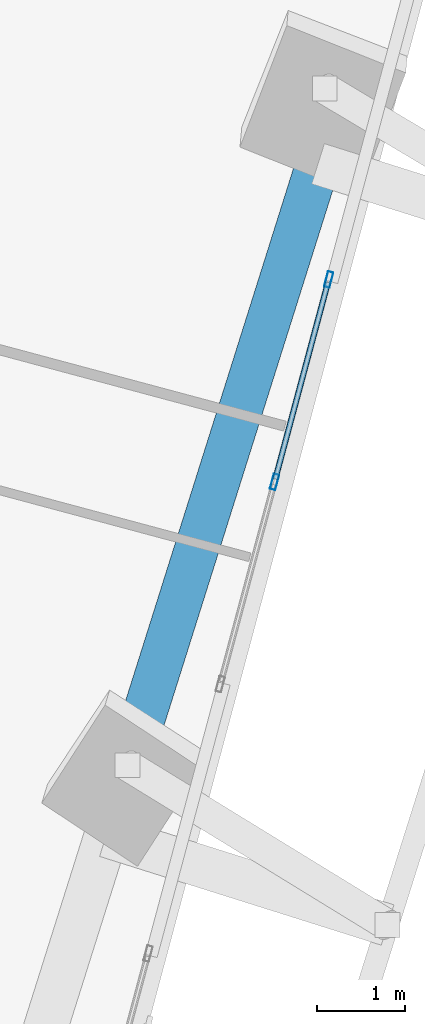
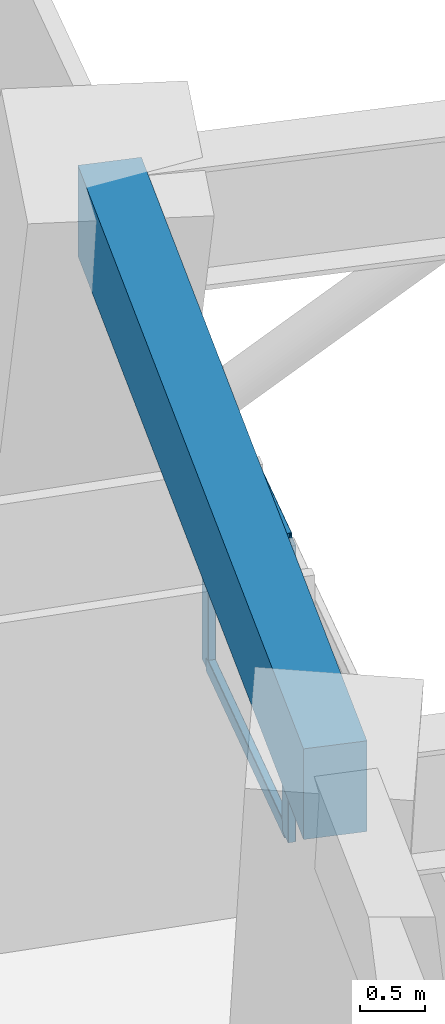
# One storey, part 11 of 27: 4 members, 1 beam, 1 element without a shape of its own.
"""IFC4 building model written with IfcOpenShell, lengths in metres."""

from ifc_helpers import new_model, si_unit, direction, frame, origin, origin_2d, place, context, subcontext, project, spatial, rectangle, hollow_rectangle, extrude, source, transform, mapped, material, material_profile, profile_set, type_object, element, aggregate, save


model = new_model("IFC4")

# Units and contexts
model_context = context("Model", 3, precision=1e-05, world=origin(), true_north=direction((0.0, 1.0)))
body_context = subcontext(model_context, "Body", "Model", "MODEL_VIEW")
ifc_project = project(units=[si_unit("LENGTHUNIT", "METRE"), si_unit("AREAUNIT", "SQUARE_METRE"), si_unit("VOLUMEUNIT", "CUBIC_METRE"), si_unit("PLANEANGLEUNIT", "RADIAN"), si_unit("MASSUNIT", "GRAM", prefix="KILO")], contexts=[model_context])

# Site, building, storey
site_placement = place(None, origin())
site = spatial("IfcSite", under=ifc_project, at=site_placement, CompositionType="ELEMENT")
building_placement = place(site_placement, origin())
building = spatial("IfcBuilding", under=site, at=building_placement, Name="Torre Montelarca", CompositionType="ELEMENT")
storey_placement = place(building_placement, frame((0.0, 0.0, 108.39990234375)))
storey = spatial("IfcBuildingStorey", under=building, at=storey_placement, Name="L24", CompositionType="ELEMENT", Elevation=108.39990234375)

# Beam
ifc_material_1 = material(Name="Concrete C55/67", Category="concrete")
ifc_material_profile_1 = material_profile(ifc_material_1, rectangle(XDim=0.5, YDim=0.85009765625, at=origin_2d()), Name="RCB500X850", Category="concrete")
ifc_profile_set_1 = profile_set([ifc_material_profile_1], Name="Concrete C55/67")
beam_type = type_object("IfcBeamType", Name="BM-SP-RC850-EXT", PredefinedType="SPANDREL", material=ifc_profile_set_1)
shared_shape_1 = source(origin(), body_context, "Body", "SweptSolid", [
    extrude(rectangle(XDim=0.5, YDim=0.85009765625, at=origin_2d()), origin(), (0.0, 0.0, 1.0), 8.0),
])
beam_placement = place(storey_placement, frame((58.218017578125, 20.4228515625, 3.53515625), z_axis=(0.300722386371, 0.953711720771, 0.0), x_axis=(-0.953711720771, 0.300722386371, 0.0)))
element("IfcBeam", 1, at=beam_placement, inside=storey, type_object=beam_type, Name="L24 Grid Girder Y 32.0-40.0 at X=60.0", PredefinedType="SPANDREL", context=body_context, shape_type="MappedRepresentation", body=[
    mapped(shared_shape_1, transform((0.0, 0.0, 0.0), scale=1.0)),
])

# Curtain wall, members
ifc_material_2 = material(Name="Insulated low-E laminated glass", Category="glass")
curtain_wall_type = type_object("IfcCurtainWallType", Name="CW-SYS-Z1", PredefinedType="USERDEFINED", material=ifc_material_2)
curtain_wall_placement = place(storey_placement, origin())
curtain_wall = element("IfcCurtainWall", 2, at=curtain_wall_placement, inside=storey, type_object=curtain_wall_type, Name="L24 Curtain Wall Run CW-T3-L24-E06-B2", ObjectType="UNITISED GLAZING", PredefinedType="USERDEFINED")
ifc_material_3 = material(Name="Anodised aluminium AA 6063-T6", Category="aluminium")
ifc_material_profile_2 = material_profile(ifc_material_3, hollow_rectangle(XDim=0.06494140625, YDim=0.139892578125, WallThickness=0.00390625, InnerFilletRadius=0.00390625, OuterFilletRadius=0.008056640625, at=origin_2d()), Name="ALU65X140X4", Category="aluminium")
ifc_profile_set_2 = profile_set([ifc_material_profile_2], Name="Anodised aluminium AA 6063-T6")
member_type_1 = type_object("IfcMemberType", Name="CWT-ALU140", PredefinedType="USERDEFINED", material=ifc_profile_set_2)
shared_shape_2 = source(origin(), body_context, "Body", "SweptSolid", [
    extrude(hollow_rectangle(XDim=0.06494140625, YDim=0.139892578125, WallThickness=0.00390625, InnerFilletRadius=0.00390625, OuterFilletRadius=0.008056640625, at=origin_2d()), origin(), (0.0, 0.0, 1.0), 2.3115234375),
])
member_1_placement = place(storey_placement, frame((60.138916015625, 24.474609375, 0.03271484375), z_axis=(0.258753682235, 0.965943337846, 0.0), x_axis=(-0.965943337846, 0.258753682235, 0.0)))
member_1 = element("IfcMember", 3, at=member_1_placement, type_object=member_type_1, Name="CW transom 2.1", ObjectType="TRANSOM", PredefinedType="USERDEFINED", context=body_context, shape_type="MappedRepresentation", body=[
    mapped(shared_shape_2, transform((0.0, 0.0, 0.0), scale=1.0)),
])
member_2_placement = place(storey_placement, frame((60.138916015625, 24.474609375, 2.74267578125), z_axis=(0.258753682235, 0.965943337846, 0.0), x_axis=(-0.965943337846, 0.258753682235, 0.0)))
member_2 = element("IfcMember", 4, at=member_2_placement, type_object=member_type_1, Name="CW transom 2.2", ObjectType="TRANSOM", PredefinedType="USERDEFINED", context=body_context, shape_type="MappedRepresentation", body=[
    mapped(shared_shape_2, transform((0.0, 0.0, 0.0), scale=1.0)),
])
ifc_material_profile_3 = material_profile(ifc_material_3, hollow_rectangle(XDim=0.06494140625, YDim=0.179931640625, WallThickness=0.00390625, InnerFilletRadius=0.00390625, OuterFilletRadius=0.008056640625, at=origin_2d()), Name="ALU65X180X4", Category="aluminium")
ifc_profile_set_3 = profile_set([ifc_material_profile_3], Name="Anodised aluminium AA 6063-T6")
member_type_2 = type_object("IfcMemberType", Name="CWM-ALU180", PredefinedType="MULLION", material=ifc_profile_set_3)
shared_shape_3 = source(origin(), body_context, "Body", "SweptSolid", [
    extrude(hollow_rectangle(XDim=0.06494140625, YDim=0.179931640625, WallThickness=0.00390625, InnerFilletRadius=0.00390625, OuterFilletRadius=0.008056640625, at=origin_2d()), origin(), (0.0, 0.0, 1.0), 2.775146484375),
])
member_3_placement = place(storey_placement, frame((60.130615234375, 24.443359375, 0.0), z_axis=(0.0, 0.0, 1.0), x_axis=(-0.96593007858, 0.258803174816, 0.0)))
member_3 = element("IfcMember", 5, at=member_3_placement, type_object=member_type_2, Name="CW mullion 2", PredefinedType="MULLION", context=body_context, shape_type="MappedRepresentation", body=[
    mapped(shared_shape_3, transform((0.0, 0.0, 0.0), scale=1.0)),
])
member_4_placement = place(storey_placement, frame((60.74560546875, 26.73876953125, 0.0), z_axis=(0.0, 0.0, 1.0), x_axis=(-0.96593007858, 0.258803174816, 0.0)))
member_4 = element("IfcMember", 6, at=member_4_placement, type_object=member_type_2, Name="CW mullion 3", PredefinedType="MULLION", context=body_context, shape_type="MappedRepresentation", body=[
    mapped(shared_shape_3, transform((0.0, 0.0, 0.0), scale=1.0)),
])
aggregate(curtain_wall, [member_3, member_4, member_1, member_2])

save(model, "model.ifc")
